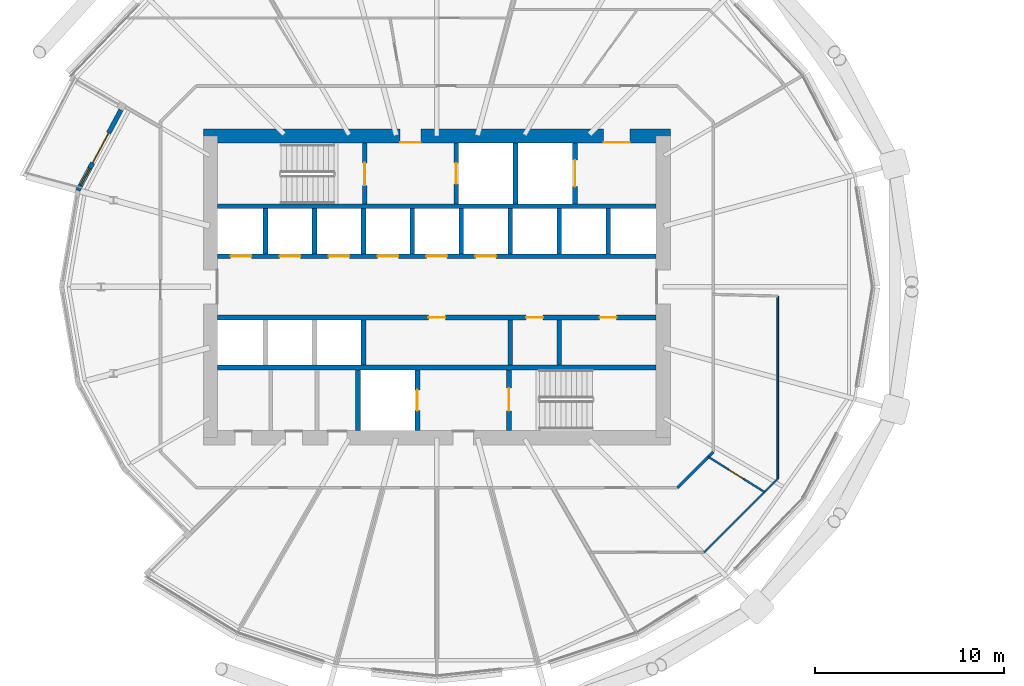
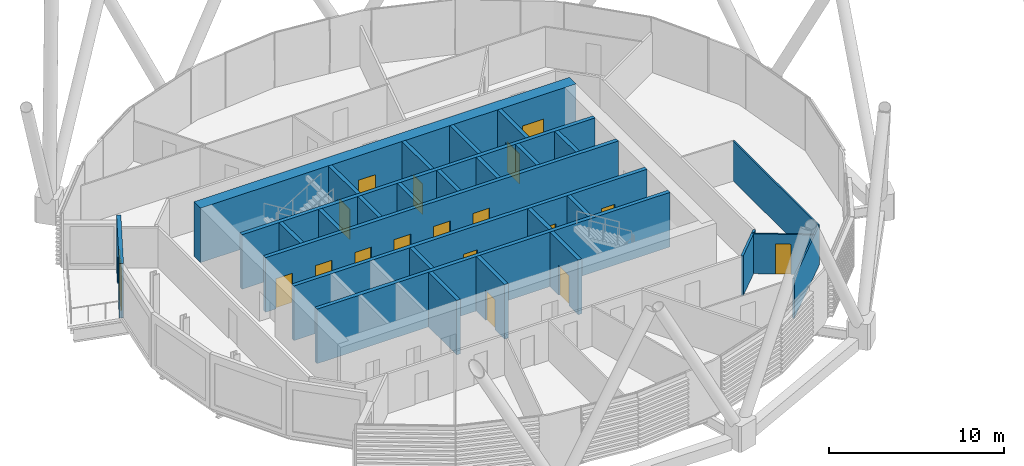
# One storey, part 28 of 39: 28 walls, 18 doors, 1 window, 19 openings.
"""IFC4 building model written with IfcOpenShell, lengths in metres."""

from ifc_helpers import new_model, si_unit, direction, frame, frame_2d, origin, place, context, subcontext, project, spatial, rectangle, extrude, material, layer, layer_set, type_object, element, fill, save


model = new_model("IFC4")

# Units and contexts
model_context = context("Model", 3, precision=1e-05, world=origin(), true_north=direction((0.0, 1.0)))
body_context = subcontext(model_context, "Body", "Model", "MODEL_VIEW")
ifc_project = project(units=[si_unit("LENGTHUNIT", "METRE"), si_unit("AREAUNIT", "SQUARE_METRE"), si_unit("VOLUMEUNIT", "CUBIC_METRE"), si_unit("PLANEANGLEUNIT", "RADIAN"), si_unit("MASSUNIT", "GRAM", prefix="KILO")], contexts=[model_context])

# Site, building, storey
site_placement = place(None, origin())
site = spatial("IfcSite", under=ifc_project, at=site_placement, CompositionType="ELEMENT")
building_placement = place(site_placement, origin())
building = spatial("IfcBuilding", under=site, at=building_placement, Name="Rimbun Link Towers", CompositionType="ELEMENT")
storey_placement = place(building_placement, frame((0.0, 0.0, 115.800048828125)))
storey = spatial("IfcBuildingStorey", under=building, at=storey_placement, Name="L28", CompositionType="ELEMENT", Elevation=115.800048828125)

# Wall, openings, door, window
ifc_material_1 = material(Name="Dark enamelled glass spandrel on insulated aluminium backpan", Category="aluminium")
ifc_layer_1 = layer(ifc_material_1, 0.25)
ifc_layer_set_1 = layer_set([ifc_layer_1], Name="CS dark enamelled spandrel wall 250")
wall_type_1 = type_object("IfcWallType", Name="CS dark enamelled spandrel wall 250", PredefinedType="STANDARD", material=ifc_layer_set_1)
wall_1_placement = place(storey_placement, frame((-50.779541015625, 5.10791015625, 0.0), z_axis=(0.0, 0.0, 1.0), x_axis=(0.472277359542, 0.881449996122, 0.0)))
wall_1 = element("IfcWall", 1, at=wall_1_placement, inside=storey, type_object=wall_type_1, Name="Crease spandrel wall", PredefinedType="STANDARD", context=body_context, shape_type="SweptSolid", body=[
    extrude(rectangle(XDim=4.84375, YDim=0.25, at=frame_2d((2.421875, 0.0))), origin(), (0.0, 0.0, 1.0), 3.800048828125),
])
opening_1_placement = place(wall_1_placement, frame((0.32763671875, 0.0, 0.300048828125)))
opening_1 = element("IfcOpeningElement", 2, at=opening_1_placement, cuts=wall_1, Name="Opening WR10H295", PredefinedType="OPENING", context=body_context, shape_type="SweptSolid", body=[
    extrude(rectangle(XDim=1.0, YDim=2.949951171875, at=frame_2d((0.5, 1.47509765625))), frame((0.0, 0.135009765625, 0.0), z_axis=(0.0, -1.0, 0.0), x_axis=(1.0, 0.0, 0.0)), (0.0, 0.0, 1.0), 0.27001953125),
])
opening_2_placement = place(wall_1_placement, frame((1.655029296875, 0.0, 0.0)))
opening_2 = element("IfcOpeningElement", 3, at=opening_2_placement, cuts=wall_1, Name="Opening ED65", PredefinedType="OPENING", context=body_context, shape_type="SweptSolid", body=[
    extrude(rectangle(XDim=1.800048828125, YDim=2.39990234375, at=frame_2d((0.89990234375, 1.199951171875))), frame((0.0, 0.135009765625, 0.0), z_axis=(0.0, -1.0, 0.0), x_axis=(1.0, 0.0, 0.0)), (0.0, 0.0, 1.0), 0.27001953125),
])
ifc_material_2 = material(Name="Aluminium framed glazed door, low-iron glass", Category="aluminium")
door_type_1 = type_object("IfcDoorType", Name="ED terrace door double leaf 1800X2400", OperationType="DOUBLE_DOOR_SINGLE_SWING", PredefinedType="DOOR", material=ifc_material_2)
door_1_placement = place(opening_2_placement, origin())
door_1 = element("IfcDoor", 4, at=door_1_placement, inside=storey, type_object=door_type_1, Name="Terrace door", OperationType="SINGLE_SWING_LEFT", OverallHeight=2.39990234375, OverallWidth=1.800048828125, PredefinedType="DOOR", context=body_context, shape_type="SweptSolid", body=[
    extrude(rectangle(XDim=1.800048828125, YDim=2.39990234375, at=frame_2d((0.89990234375, 1.199951171875))), frame((0.0, 0.02490234375, 0.0), z_axis=(0.0, -1.0, 0.0), x_axis=(1.0, 0.0, 0.0)), (0.0, 0.0, 1.0), 0.050048828125),
])
fill(opening_2, door_1)
ifc_material_3 = material(Name="Aluminium framed fixed window, dark tinted low-e glass", Category="aluminium")
window_type = type_object("IfcWindowType", Name="WR ribbon window 1000X2950", PartitioningType="SINGLE_PANEL", PredefinedType="WINDOW", material=ifc_material_3)
window_placement = place(opening_1_placement, origin())
window = element("IfcWindow", 5, at=window_placement, inside=storey, type_object=window_type, Name="Crease ribbon window", OverallHeight=2.949951171875, OverallWidth=1.0, PartitioningType="SINGLE_PANEL", PredefinedType="WINDOW", context=body_context, shape_type="SweptSolid", body=[
    extrude(rectangle(XDim=1.0, YDim=2.949951171875, at=frame_2d((0.5, 1.47509765625))), frame((0.0, 0.030029296875, 0.0), z_axis=(0.0, -1.0, 0.0), x_axis=(1.0, 0.0, 0.0)), (0.0, 0.0, 1.0), 0.06005859375),
])
fill(opening_1, window)

# Wall, openings, doors
ifc_material_4 = material(Name="Concrete C60/75", Category="concrete")
ifc_layer_2 = layer(ifc_material_4, 0.75)
ifc_layer_set_2 = layer_set([ifc_layer_2], Name="Core shear wall 750")
wall_type_2 = type_object("IfcWallType", Name="Core shear wall 750", PredefinedType="SHEAR", material=ifc_layer_set_2)
wall_2_placement = place(storey_placement, frame((-44.125, 8.0, 0.0), z_axis=(0.0, 0.0, 1.0), x_axis=(1.0, 0.0, 0.0)))
wall_2 = element("IfcWall", 6, at=wall_2_placement, inside=storey, type_object=wall_type_2, Name="L28 T1 core wall N", PredefinedType="SHEAR", context=body_context, shape_type="SweptSolid", body=[
    extrude(rectangle(XDim=24.75, YDim=0.75, at=frame_2d((12.375, 0.0))), origin(), (0.0, 0.0, 1.0), 3.800048828125),
])
opening_3_placement = place(wall_2_placement, frame((10.425048828125, 0.0, 0.0)))
opening_3 = element("IfcOpeningElement", 7, at=opening_3_placement, cuts=wall_2, Name="Opening C1DCF01N", PredefinedType="OPENING", context=body_context, shape_type="SweptSolid", body=[
    extrude(rectangle(XDim=1.10009765625, YDim=2.10009765625, at=frame_2d((0.550048828125, 1.050048828125))), frame((0.0, 0.385009765625, 0.0), z_axis=(0.0, -1.0, 0.0), x_axis=(1.0, 0.0, 0.0)), (0.0, 0.0, 1.0), 0.77001953125),
])
opening_4_placement = place(wall_2_placement, frame((21.21240234375, 0.0, 0.0)))
opening_4 = element("IfcOpeningElement", 8, at=opening_4_placement, cuts=wall_2, Name="Opening C1DSL02N", PredefinedType="OPENING", context=body_context, shape_type="SweptSolid", body=[
    extrude(rectangle(XDim=1.39990234375, YDim=2.10009765625, at=frame_2d((0.699951171875, 1.050048828125))), frame((0.0, 0.385009765625, 0.0), z_axis=(0.0, -1.0, 0.0), x_axis=(1.0, 0.0, 0.0)), (0.0, 0.0, 1.0), 0.77001953125),
])
ifc_material_5 = material(Name="Steel fire door set", Category="steel")
door_type_2 = type_object("IfcDoorType", Name="Core fire door single", OperationType="SINGLE_SWING_LEFT", PredefinedType="DOOR", material=ifc_material_5)
door_2_placement = place(opening_3_placement, origin())
door_2 = element("IfcDoor", 9, at=door_2_placement, inside=storey, type_object=door_type_2, Name="L28 T1 firefighting lobby n door", OperationType="SINGLE_SWING_LEFT", OverallHeight=2.10009765625, OverallWidth=1.10009765625, PredefinedType="DOOR", context=body_context, shape_type="SweptSolid", body=[
    extrude(rectangle(XDim=1.10009765625, YDim=2.10009765625, at=frame_2d((0.550048828125, 1.050048828125))), frame((0.0, -0.3251953125, 0.0), z_axis=(0.0, -1.0, 0.0), x_axis=(1.0, 0.0, 0.0)), (0.0, 0.0, 1.0), 0.050048828125),
])
fill(opening_3, door_2)
ifc_material_6 = material(Name="Steel fire door set", Category="steel")
door_type_3 = type_object("IfcDoorType", Name="Service lobby door double", OperationType="DOUBLE_DOOR_SINGLE_SWING", PredefinedType="DOOR", material=ifc_material_6)
door_3_placement = place(opening_4_placement, origin())
door_3 = element("IfcDoor", 10, at=door_3_placement, inside=storey, type_object=door_type_3, Name="L28 T1 service lobby door", OperationType="DOUBLE_DOOR_SINGLE_SWING", OverallHeight=2.10009765625, OverallWidth=1.39990234375, PredefinedType="DOOR", context=body_context, shape_type="SweptSolid", body=[
    extrude(rectangle(XDim=1.39990234375, YDim=2.10009765625, at=frame_2d((0.699951171875, 1.050048828125))), frame((0.0, -0.3251953125, 0.0), z_axis=(0.0, -1.0, 0.0), x_axis=(1.0, 0.0, 0.0)), (0.0, 0.0, 1.0), 0.050048828125),
])
fill(opening_4, door_3)

# Wall
ifc_material_7 = material(Name="Plasterboard on steel stud, mineral wool", Category="steel")
ifc_layer_3 = layer(ifc_material_7, 0.14990234375)
ifc_layer_set_3 = layer_set([ifc_layer_3], Name="Corridor wall EI 30 150 mm")
wall_type_3 = type_object("IfcWallType", Name="Corridor wall EI 30 150 mm", PredefinedType="PARTITIONING", material=ifc_layer_set_3)
wall_3_placement = place(storey_placement, frame((-18.998291015625, -10.64990234375, 0.0), z_axis=(0.0, 0.0, 1.0), x_axis=(0.707106781187, 0.707106781187, 0.0)))
element("IfcWall", 11, at=wall_3_placement, inside=storey, type_object=wall_type_3, Name="Corridor wall EI 30 150 mm", PredefinedType="PARTITIONING", context=body_context, shape_type="SweptSolid", body=[
    extrude(rectangle(XDim=2.6845703125, YDim=0.14990234375, at=frame_2d((1.34228515625, 0.0))), origin(), (0.0, 0.0, 1.0), 2.779052734375),
])

# Wall, opening, door
ifc_material_8 = material(Name="Plasterboard on steel stud", Category="steel")
ifc_layer_4 = layer(ifc_material_8, 0.10009765625)
ifc_layer_set_4 = layer_set([ifc_layer_4], Name="Plasterboard partition 100 mm")
wall_type_4 = type_object("IfcWallType", Name="Plasterboard partition 100 mm", PredefinedType="PARTITIONING", material=ifc_layer_set_4)
wall_4_placement = place(storey_placement, frame((-17.35986328125, -9.011474609375, 0.0), z_axis=(0.0, 0.0, 1.0), x_axis=(0.847521121802, -0.530761667889, 0.0)))
wall_4 = element("IfcWall", 12, at=wall_4_placement, inside=storey, type_object=wall_type_4, Name="Plasterboard partition 100 mm", PredefinedType="PARTITIONING", context=body_context, shape_type="SweptSolid", body=[
    extrude(rectangle(XDim=3.50927734375, YDim=0.10009765625, at=frame_2d((1.754638671875, 0.0))), origin(), (0.0, 0.0, 1.0), 2.779052734375),
])
opening_5_placement = place(wall_4_placement, frame((1.3046875, 0.0, 0.0)))
opening_5 = element("IfcOpeningElement", 13, at=opening_5_placement, cuts=wall_4, Name="Opening D04", PredefinedType="OPENING", context=body_context, shape_type="SweptSolid", body=[
    extrude(rectangle(XDim=0.89990234375, YDim=2.10009765625, at=frame_2d((0.449951171875, 1.050048828125))), frame((0.0, 0.06005859375, 0.0), z_axis=(0.0, -1.0, 0.0), x_axis=(1.0, 0.0, 0.0)), (0.0, 0.0, 1.0), 0.1201171875),
])
ifc_material_9 = material(Name="Timber door leaf", Category="wood")
door_type_4 = type_object("IfcDoorType", Name="Flush door 900", OperationType="NOTDEFINED", PredefinedType="DOOR", material=ifc_material_9)
door_4_placement = place(opening_5_placement, origin())
door_4 = element("IfcDoor", 14, at=door_4_placement, inside=storey, type_object=door_type_4, Name="Flush door 900 to Meeting room", OperationType="SINGLE_SWING_RIGHT", OverallHeight=2.10009765625, OverallWidth=0.89990234375, PredefinedType="DOOR", context=body_context, shape_type="SweptSolid", body=[
    extrude(rectangle(XDim=0.89990234375, YDim=2.10009765625, at=frame_2d((0.449951171875, 1.050048828125))), frame((0.0, 0.02490234375, 0.0), z_axis=(0.0, -1.0, 0.0), x_axis=(1.0, 0.0, 0.0)), (0.0, 0.0, 1.0), 0.050048828125),
])
fill(opening_5, door_4)

# Walls
wall_5_placement = place(storey_placement, frame((-17.581787109375, -14.070068359375, 0.0), z_axis=(0.0, 0.0, 1.0), x_axis=(0.707084658174, 0.707128903507, 0.0)))
element("IfcWall", 15, at=wall_5_placement, inside=storey, type_object=wall_type_4, Name="Plasterboard partition 100 mm", PredefinedType="PARTITIONING", context=body_context, shape_type="SweptSolid", body=[
    extrude(rectangle(XDim=5.517822265625, YDim=0.10009765625, at=frame_2d((2.7587890625, 0.0))), origin(), (0.0, 0.0, 1.0), 2.779052734375),
])
wall_6_placement = place(storey_placement, frame((-13.679931640625, -10.168212890625, 0.0), z_axis=(0.0, 0.0, 1.0), x_axis=(0.0, 1.0, 0.0)))
element("IfcWall", 16, at=wall_6_placement, inside=storey, type_object=wall_type_4, Name="Plasterboard partition 100 mm", PredefinedType="PARTITIONING", context=body_context, shape_type="SweptSolid", body=[
    extrude(rectangle(XDim=9.676025390625, YDim=0.10009765625, at=frame_2d((4.837890625, 0.0))), origin(), (0.0, 0.0, 1.0), 2.779052734375),
])
ifc_material_10 = material(Name="Concrete C60/75", Category="concrete")
ifc_layer_5 = layer(ifc_material_10, 0.25)
ifc_layer_set_5 = layer_set([ifc_layer_5], Name="Shaft wall 250")
wall_type_5 = type_object("IfcWallType", Name="Shaft wall 250", PredefinedType="SHEAR", material=ifc_layer_set_5)
for number, where, z_axis, x_axis, name in (
    (17, (-43.375, 4.27490234375, 0.0), (0.0, 0.0, 1.0), (1.0, 0.0, 0.0), "L28 T1 core wall BN"),
    (18, (-43.375, -4.27490234375, 0.0), (0.0, 0.0, 1.0), (1.0, 0.0, 0.0), "L28 T1 core wall BS"),
):
    element("IfcWall", number, at=place(storey_placement, frame(where, z_axis=z_axis, x_axis=x_axis)), inside=storey, type_object=wall_type_5, Name=name, PredefinedType="SHEAR", context=body_context, shape_type="SweptSolid", body=[
        extrude(rectangle(XDim=23.25, YDim=0.25, at=frame_2d((11.625, 0.0))), origin(), (0.0, 0.0, 1.0), 3.800048828125),
    ])

# Wall, openings, doors
wall_7_placement = place(storey_placement, frame((-43.375, 1.625, 0.0), z_axis=(0.0, 0.0, 1.0), x_axis=(1.0, 0.0, 0.0)))
wall_7 = element("IfcWall", 19, at=wall_7_placement, inside=storey, type_object=wall_type_5, Name="L28 T1 core wall FN", PredefinedType="SHEAR", context=body_context, shape_type="SweptSolid", body=[
    extrude(rectangle(XDim=23.25, YDim=0.25, at=frame_2d((11.625, 0.0))), origin(), (0.0, 0.0, 1.0), 3.800048828125),
])
opening_6_placement = place(wall_7_placement, frame((0.697265625, 0.0, 0.0)))
opening_6 = element("IfcOpeningElement", 20, at=opening_6_placement, cuts=wall_7, Name="Opening LD-T1-LR1", PredefinedType="OPENING", context=body_context, shape_type="SweptSolid", body=[
    extrude(rectangle(XDim=1.10009765625, YDim=2.10009765625, at=frame_2d((0.550048828125, 1.050048828125))), frame((0.0, 0.135009765625, 0.0), z_axis=(0.0, -1.0, 0.0), x_axis=(1.0, 0.0, 0.0)), (0.0, 0.0, 1.0), 0.27001953125),
])
opening_7_placement = place(wall_7_placement, frame((3.291748046875, 0.0, 0.0)))
opening_7 = element("IfcOpeningElement", 21, at=opening_7_placement, cuts=wall_7, Name="Opening LD-T1-LR2", PredefinedType="OPENING", context=body_context, shape_type="SweptSolid", body=[
    extrude(rectangle(XDim=1.10009765625, YDim=2.10009765625, at=frame_2d((0.550048828125, 1.050048828125))), frame((0.0, 0.135009765625, 0.0), z_axis=(0.0, -1.0, 0.0), x_axis=(1.0, 0.0, 0.0)), (0.0, 0.0, 1.0), 0.27001953125),
])
opening_8_placement = place(wall_7_placement, frame((5.885986328125, 0.0, 0.0)))
opening_8 = element("IfcOpeningElement", 22, at=opening_8_placement, cuts=wall_7, Name="Opening LD-T1-LR3", PredefinedType="OPENING", context=body_context, shape_type="SweptSolid", body=[
    extrude(rectangle(XDim=1.10009765625, YDim=2.10009765625, at=frame_2d((0.550048828125, 1.050048828125))), frame((0.0, 0.135009765625, 0.0), z_axis=(0.0, -1.0, 0.0), x_axis=(1.0, 0.0, 0.0)), (0.0, 0.0, 1.0), 0.27001953125),
])
opening_9_placement = place(wall_7_placement, frame((8.480712890625, 0.0, 0.0)))
opening_9 = element("IfcOpeningElement", 23, at=opening_9_placement, cuts=wall_7, Name="Opening LD-T1-LR4", PredefinedType="OPENING", context=body_context, shape_type="SweptSolid", body=[
    extrude(rectangle(XDim=1.10009765625, YDim=2.10009765625, at=frame_2d((0.550048828125, 1.050048828125))), frame((0.0, 0.135009765625, 0.0), z_axis=(0.0, -1.0, 0.0), x_axis=(1.0, 0.0, 0.0)), (0.0, 0.0, 1.0), 0.27001953125),
])
opening_10_placement = place(wall_7_placement, frame((11.074951171875, 0.0, 0.0)))
opening_10 = element("IfcOpeningElement", 24, at=opening_10_placement, cuts=wall_7, Name="Opening LD-T1-LR5", PredefinedType="OPENING", context=body_context, shape_type="SweptSolid", body=[
    extrude(rectangle(XDim=1.10009765625, YDim=2.10009765625, at=frame_2d((0.550048828125, 1.050048828125))), frame((0.0, 0.135009765625, 0.0), z_axis=(0.0, -1.0, 0.0), x_axis=(1.0, 0.0, 0.0)), (0.0, 0.0, 1.0), 0.27001953125),
])
opening_11_placement = place(wall_7_placement, frame((13.66943359375, 0.0, 0.0)))
opening_11 = element("IfcOpeningElement", 25, at=opening_11_placement, cuts=wall_7, Name="Opening LD-T1-LR6", PredefinedType="OPENING", context=body_context, shape_type="SweptSolid", body=[
    extrude(rectangle(XDim=1.10009765625, YDim=2.10009765625, at=frame_2d((0.550048828125, 1.050048828125))), frame((0.0, 0.135009765625, 0.0), z_axis=(0.0, -1.0, 0.0), x_axis=(1.0, 0.0, 0.0)), (0.0, 0.0, 1.0), 0.27001953125),
])
ifc_material_11 = material(Name="Stainless steel grade 316", Category="steel")
door_type_5 = type_object("IfcDoorType", Name="Lift landing door", OperationType="DOUBLE_DOOR_SLIDING", PredefinedType="DOOR", material=ifc_material_11)
door_5_placement = place(opening_6_placement, origin())
door_5 = element("IfcDoor", 26, at=door_5_placement, inside=storey, type_object=door_type_5, Name="L28 T1 lift LR1 landing door", OperationType="DOUBLE_DOOR_SLIDING", OverallHeight=2.10009765625, OverallWidth=1.10009765625, PredefinedType="DOOR", context=body_context, shape_type="SweptSolid", body=[
    extrude(rectangle(XDim=1.10009765625, YDim=2.10009765625, at=frame_2d((0.550048828125, 1.050048828125))), frame((0.0, 0.02490234375, 0.0), z_axis=(0.0, -1.0, 0.0), x_axis=(1.0, 0.0, 0.0)), (0.0, 0.0, 1.0), 0.050048828125),
])
fill(opening_6, door_5)
door_6_placement = place(opening_7_placement, origin())
door_6 = element("IfcDoor", 27, at=door_6_placement, inside=storey, type_object=door_type_5, Name="L28 T1 lift LR2 landing door", OperationType="DOUBLE_DOOR_SLIDING", OverallHeight=2.10009765625, OverallWidth=1.10009765625, PredefinedType="DOOR", context=body_context, shape_type="SweptSolid", body=[
    extrude(rectangle(XDim=1.10009765625, YDim=2.10009765625, at=frame_2d((0.550048828125, 1.050048828125))), frame((0.0, 0.02490234375, 0.0), z_axis=(0.0, -1.0, 0.0), x_axis=(1.0, 0.0, 0.0)), (0.0, 0.0, 1.0), 0.050048828125),
])
fill(opening_7, door_6)
door_7_placement = place(opening_8_placement, origin())
door_7 = element("IfcDoor", 28, at=door_7_placement, inside=storey, type_object=door_type_5, Name="L28 T1 lift LR3 landing door", OperationType="DOUBLE_DOOR_SLIDING", OverallHeight=2.10009765625, OverallWidth=1.10009765625, PredefinedType="DOOR", context=body_context, shape_type="SweptSolid", body=[
    extrude(rectangle(XDim=1.10009765625, YDim=2.10009765625, at=frame_2d((0.550048828125, 1.050048828125))), frame((0.0, 0.02490234375, 0.0), z_axis=(0.0, -1.0, 0.0), x_axis=(1.0, 0.0, 0.0)), (0.0, 0.0, 1.0), 0.050048828125),
])
fill(opening_8, door_7)
door_8_placement = place(opening_9_placement, origin())
door_8 = element("IfcDoor", 29, at=door_8_placement, inside=storey, type_object=door_type_5, Name="L28 T1 lift LR4 landing door", OperationType="DOUBLE_DOOR_SLIDING", OverallHeight=2.10009765625, OverallWidth=1.10009765625, PredefinedType="DOOR", context=body_context, shape_type="SweptSolid", body=[
    extrude(rectangle(XDim=1.10009765625, YDim=2.10009765625, at=frame_2d((0.550048828125, 1.050048828125))), frame((0.0, 0.02490234375, 0.0), z_axis=(0.0, -1.0, 0.0), x_axis=(1.0, 0.0, 0.0)), (0.0, 0.0, 1.0), 0.050048828125),
])
fill(opening_9, door_8)
door_9_placement = place(opening_10_placement, origin())
door_9 = element("IfcDoor", 30, at=door_9_placement, inside=storey, type_object=door_type_5, Name="L28 T1 lift LR5 landing door", OperationType="DOUBLE_DOOR_SLIDING", OverallHeight=2.10009765625, OverallWidth=1.10009765625, PredefinedType="DOOR", context=body_context, shape_type="SweptSolid", body=[
    extrude(rectangle(XDim=1.10009765625, YDim=2.10009765625, at=frame_2d((0.550048828125, 1.050048828125))), frame((0.0, 0.02490234375, 0.0), z_axis=(0.0, -1.0, 0.0), x_axis=(1.0, 0.0, 0.0)), (0.0, 0.0, 1.0), 0.050048828125),
])
fill(opening_10, door_9)
door_10_placement = place(opening_11_placement, origin())
door_10 = element("IfcDoor", 31, at=door_10_placement, inside=storey, type_object=door_type_5, Name="L28 T1 lift LR6 landing door", OperationType="DOUBLE_DOOR_SLIDING", OverallHeight=2.10009765625, OverallWidth=1.10009765625, PredefinedType="DOOR", context=body_context, shape_type="SweptSolid", body=[
    extrude(rectangle(XDim=1.10009765625, YDim=2.10009765625, at=frame_2d((0.550048828125, 1.050048828125))), frame((0.0, 0.02490234375, 0.0), z_axis=(0.0, -1.0, 0.0), x_axis=(1.0, 0.0, 0.0)), (0.0, 0.0, 1.0), 0.050048828125),
])
fill(opening_11, door_10)

wall_8_placement = place(storey_placement, frame((-43.375, -1.625, 0.0), z_axis=(0.0, 0.0, 1.0), x_axis=(1.0, 0.0, 0.0)))
wall_8 = element("IfcWall", 32, at=wall_8_placement, inside=storey, type_object=wall_type_5, Name="L28 T1 core wall FS", PredefinedType="SHEAR", context=body_context, shape_type="SweptSolid", body=[
    extrude(rectangle(XDim=23.25, YDim=0.25, at=frame_2d((11.625, 0.0))), origin(), (0.0, 0.0, 1.0), 3.800048828125),
])
opening_12_placement = place(wall_8_placement, frame((11.175048828125, 0.0, 0.0)))
opening_12 = element("IfcOpeningElement", 33, at=opening_12_placement, cuts=wall_8, Name="Opening C1DRS01FS", PredefinedType="OPENING", context=body_context, shape_type="SweptSolid", body=[
    extrude(rectangle(XDim=0.89990234375, YDim=2.10009765625, at=frame_2d((0.449951171875, 1.050048828125))), frame((0.0, 0.135009765625, 0.0), z_axis=(0.0, -1.0, 0.0), x_axis=(1.0, 0.0, 0.0)), (0.0, 0.0, 1.0), 0.27001953125),
])
opening_13_placement = place(wall_8_placement, frame((16.364013671875, 0.0, 0.0)))
opening_13 = element("IfcOpeningElement", 34, at=opening_13_placement, cuts=wall_8, Name="Opening C1DRS02FS", PredefinedType="OPENING", context=body_context, shape_type="SweptSolid", body=[
    extrude(rectangle(XDim=0.89990234375, YDim=2.10009765625, at=frame_2d((0.449951171875, 1.050048828125))), frame((0.0, 0.135009765625, 0.0), z_axis=(0.0, -1.0, 0.0), x_axis=(1.0, 0.0, 0.0)), (0.0, 0.0, 1.0), 0.27001953125),
])
opening_14_placement = place(wall_8_placement, frame((20.255615234375, 0.0, 0.0)))
opening_14 = element("IfcOpeningElement", 35, at=opening_14_placement, cuts=wall_8, Name="Opening C1DRS03FS", PredefinedType="OPENING", context=body_context, shape_type="SweptSolid", body=[
    extrude(rectangle(XDim=0.89990234375, YDim=2.10009765625, at=frame_2d((0.449951171875, 1.050048828125))), frame((0.0, 0.135009765625, 0.0), z_axis=(0.0, -1.0, 0.0), x_axis=(1.0, 0.0, 0.0)), (0.0, 0.0, 1.0), 0.27001953125),
])
ifc_material_12 = material(Name="Steel fire door set", Category="steel")
door_type_6 = type_object("IfcDoorType", Name="Core riser door", OperationType="SINGLE_SWING_LEFT", PredefinedType="DOOR", material=ifc_material_12)
door_11_placement = place(opening_12_placement, origin())
door_11 = element("IfcDoor", 36, at=door_11_placement, inside=storey, type_object=door_type_6, Name="L28 T1 records store door", OperationType="SINGLE_SWING_RIGHT", OverallHeight=2.10009765625, OverallWidth=0.89990234375, PredefinedType="DOOR", context=body_context, shape_type="SweptSolid", body=[
    extrude(rectangle(XDim=0.89990234375, YDim=2.10009765625, at=frame_2d((0.449951171875, 1.050048828125))), frame((0.0, 0.02490234375, 0.0), z_axis=(0.0, -1.0, 0.0), x_axis=(1.0, 0.0, 0.0)), (0.0, 0.0, 1.0), 0.050048828125),
])
fill(opening_12, door_11)
door_12_placement = place(opening_13_placement, origin())
door_12 = element("IfcDoor", 37, at=door_12_placement, inside=storey, type_object=door_type_6, Name="L28 T1 cleaner store door", OperationType="SINGLE_SWING_LEFT", OverallHeight=2.10009765625, OverallWidth=0.89990234375, PredefinedType="DOOR", context=body_context, shape_type="SweptSolid", body=[
    extrude(rectangle(XDim=0.89990234375, YDim=2.10009765625, at=frame_2d((0.449951171875, 1.050048828125))), frame((0.0, 0.02490234375, 0.0), z_axis=(0.0, -1.0, 0.0), x_axis=(1.0, 0.0, 0.0)), (0.0, 0.0, 1.0), 0.050048828125),
])
fill(opening_13, door_12)
door_13_placement = place(opening_14_placement, origin())
door_13 = element("IfcDoor", 38, at=door_13_placement, inside=storey, type_object=door_type_6, Name="L28 T1 staff lounge door", OperationType="SINGLE_SWING_LEFT", OverallHeight=2.10009765625, OverallWidth=0.89990234375, PredefinedType="DOOR", context=body_context, shape_type="SweptSolid", body=[
    extrude(rectangle(XDim=0.89990234375, YDim=2.10009765625, at=frame_2d((0.449951171875, 1.050048828125))), frame((0.0, 0.02490234375, 0.0), z_axis=(0.0, -1.0, 0.0), x_axis=(1.0, 0.0, 0.0)), (0.0, 0.0, 1.0), 0.050048828125),
])
fill(opening_14, door_13)

# Walls
for number, where, z_axis, x_axis, name in (
    (39, (-40.83056640625, 1.75, 0.0), (0.0, 0.0, 1.0), (0.0, 1.0, 0.0), "L28 T1 core wall DN0"),
    (40, (-38.236083984375, 1.75, 0.0), (0.0, 0.0, 1.0), (0.0, 1.0, 0.0), "L28 T1 core wall DN1"),
    (41, (-35.6416015625, 1.75, 0.0), (0.0, 0.0, 1.0), (0.0, 1.0, 0.0), "L28 T1 core wall DN2"),
    (42, (-33.047119140625, 1.75, 0.0), (0.0, 0.0, 1.0), (0.0, 1.0, 0.0), "L28 T1 core wall DN3"),
    (43, (-30.452880859375, 1.75, 0.0), (0.0, 0.0, 1.0), (0.0, 1.0, 0.0), "L28 T1 core wall DN4"),
    (44, (-27.8583984375, 1.75, 0.0), (0.0, 0.0, 1.0), (0.0, 1.0, 0.0), "L28 T1 core wall DN5"),
    (45, (-25.263916015625, 1.75, 0.0), (0.0, 0.0, 1.0), (0.0, 1.0, 0.0), "L28 T1 core wall DN6"),
    (46, (-22.66943359375, 1.75, 0.0), (0.0, 0.0, 1.0), (0.0, 1.0, 0.0), "L28 T1 core wall DN7"),
    (47, (-35.6416015625, -4.14990234375, 0.0), (0.0, 0.0, 1.0), (0.0, 1.0, 0.0), "L28 T1 core wall DS2"),
    (48, (-27.8583984375, -4.14990234375, 0.0), (0.0, 0.0, 1.0), (0.0, 1.0, 0.0), "L28 T1 core wall DS5"),
    (49, (-25.263916015625, -4.14990234375, 0.0), (0.0, 0.0, 1.0), (0.0, 1.0, 0.0), "L28 T1 core wall DS6"),
):
    element("IfcWall", number, at=place(storey_placement, frame(where, z_axis=z_axis, x_axis=x_axis)), inside=storey, type_object=wall_type_5, Name=name, PredefinedType="SHEAR", context=body_context, shape_type="SweptSolid", body=[
        extrude(rectangle(XDim=2.39990234375, YDim=0.25, at=frame_2d((1.199951171875, 0.0))), origin(), (0.0, 0.0, 1.0), 3.800048828125),
    ])

# Wall, opening, door
wall_9_placement = place(storey_placement, frame((-35.574951171875, 4.39990234375, 0.0), z_axis=(0.0, 0.0, 1.0), x_axis=(0.0, 1.0, 0.0)))
wall_9 = element("IfcWall", 50, at=wall_9_placement, inside=storey, type_object=wall_type_5, Name="L28 T1 core wall A1", PredefinedType="SHEAR", context=body_context, shape_type="SweptSolid", body=[
    extrude(rectangle(XDim=3.22509765625, YDim=0.25, at=frame_2d((1.612548828125, 0.0))), origin(), (0.0, 0.0, 1.0), 3.800048828125),
])
opening_15_placement = place(wall_9_placement, frame((0.97509765625, 0.0, 0.0)))
opening_15 = element("IfcOpeningElement", 51, at=opening_15_placement, cuts=wall_9, Name="Opening C1DST01A1", PredefinedType="OPENING", context=body_context, shape_type="SweptSolid", body=[
    extrude(rectangle(XDim=1.199951171875, YDim=2.10009765625, at=frame_2d((0.60009765625, 1.050048828125))), frame((0.0, 0.135009765625, 0.0), z_axis=(0.0, -1.0, 0.0), x_axis=(1.0, 0.0, 0.0)), (0.0, 0.0, 1.0), 0.27001953125),
])
ifc_material_13 = material(Name="Steel fire door set", Category="steel")
door_type_7 = type_object("IfcDoorType", Name="Stair door", OperationType="SINGLE_SWING_LEFT", PredefinedType="DOOR", material=ifc_material_13)
door_14_placement = place(opening_15_placement, origin())
door_14 = element("IfcDoor", 52, at=door_14_placement, inside=storey, type_object=door_type_7, Name="L28 T1 stair a door", OperationType="SINGLE_SWING_RIGHT", OverallHeight=2.10009765625, OverallWidth=1.199951171875, PredefinedType="DOOR", context=body_context, shape_type="SweptSolid", body=[
    extrude(rectangle(XDim=1.199951171875, YDim=2.10009765625, at=frame_2d((0.60009765625, 1.050048828125))), frame((0.0, 0.02490234375, 0.0), z_axis=(0.0, -1.0, 0.0), x_axis=(1.0, 0.0, 0.0)), (0.0, 0.0, 1.0), 0.050048828125),
])
fill(opening_15, door_14)

wall_10_placement = place(storey_placement, frame((-30.72509765625, 4.39990234375, 0.0), z_axis=(0.0, 0.0, 1.0), x_axis=(0.0, 1.0, 0.0)))
wall_10 = element("IfcWall", 53, at=wall_10_placement, inside=storey, type_object=wall_type_5, Name="L28 T1 core wall A2", PredefinedType="SHEAR", context=body_context, shape_type="SweptSolid", body=[
    extrude(rectangle(XDim=3.22509765625, YDim=0.25, at=frame_2d((1.612548828125, 0.0))), origin(), (0.0, 0.0, 1.0), 3.800048828125),
])
opening_16_placement = place(wall_10_placement, frame((1.0625, 0.0, 0.0)))
opening_16 = element("IfcOpeningElement", 54, at=opening_16_placement, cuts=wall_10, Name="Opening LD-T1-FF1", PredefinedType="OPENING", context=body_context, shape_type="SweptSolid", body=[
    extrude(rectangle(XDim=1.10009765625, YDim=2.10009765625, at=frame_2d((0.550048828125, 1.050048828125))), frame((0.0, 0.135009765625, 0.0), z_axis=(0.0, -1.0, 0.0), x_axis=(1.0, 0.0, 0.0)), (0.0, 0.0, 1.0), 0.27001953125),
])
door_15_placement = place(opening_16_placement, origin())
door_15 = element("IfcDoor", 55, at=door_15_placement, inside=storey, type_object=door_type_5, Name="L28 T1 lift FF1 landing door", OperationType="DOUBLE_DOOR_SLIDING", OverallHeight=2.10009765625, OverallWidth=1.10009765625, PredefinedType="DOOR", context=body_context, shape_type="SweptSolid", body=[
    extrude(rectangle(XDim=1.10009765625, YDim=2.10009765625, at=frame_2d((0.550048828125, 1.050048828125))), frame((0.0, 0.02490234375, 0.0), z_axis=(0.0, -1.0, 0.0), x_axis=(1.0, 0.0, 0.0)), (0.0, 0.0, 1.0), 0.050048828125),
])
fill(opening_16, door_15)

# Wall
wall_11_placement = place(storey_placement, frame((-27.574951171875, 4.39990234375, 0.0), z_axis=(0.0, 0.0, 1.0), x_axis=(0.0, 1.0, 0.0)))
element("IfcWall", 56, at=wall_11_placement, inside=storey, type_object=wall_type_5, Name="L28 T1 core wall A3", PredefinedType="SHEAR", context=body_context, shape_type="SweptSolid", body=[
    extrude(rectangle(XDim=3.22509765625, YDim=0.25, at=frame_2d((1.612548828125, 0.0))), origin(), (0.0, 0.0, 1.0), 3.800048828125),
])

# Wall, opening, door
wall_12_placement = place(storey_placement, frame((-24.425048828125, 4.39990234375, 0.0), z_axis=(0.0, 0.0, 1.0), x_axis=(0.0, 1.0, 0.0)))
wall_12 = element("IfcWall", 57, at=wall_12_placement, inside=storey, type_object=wall_type_5, Name="L28 T1 core wall A4", PredefinedType="SHEAR", context=body_context, shape_type="SweptSolid", body=[
    extrude(rectangle(XDim=3.22509765625, YDim=0.25, at=frame_2d((1.612548828125, 0.0))), origin(), (0.0, 0.0, 1.0), 3.800048828125),
])
opening_17_placement = place(wall_12_placement, frame((0.91259765625, 0.0, 0.0)))
opening_17 = element("IfcOpeningElement", 58, at=opening_17_placement, cuts=wall_12, Name="Opening LD-T1-GL1", PredefinedType="OPENING", context=body_context, shape_type="SweptSolid", body=[
    extrude(rectangle(XDim=1.39990234375, YDim=2.10009765625, at=frame_2d((0.699951171875, 1.050048828125))), frame((0.0, 0.135009765625, 0.0), z_axis=(0.0, -1.0, 0.0), x_axis=(1.0, 0.0, 0.0)), (0.0, 0.0, 1.0), 0.27001953125),
])
ifc_material_14 = material(Name="Stainless steel grade 316", Category="steel")
door_type_8 = type_object("IfcDoorType", Name="Goods lift landing door", OperationType="DOUBLE_DOOR_SLIDING", PredefinedType="DOOR", material=ifc_material_14)
door_16_placement = place(opening_17_placement, origin())
door_16 = element("IfcDoor", 59, at=door_16_placement, inside=storey, type_object=door_type_8, Name="L28 T1 lift GL1 landing door", OperationType="DOUBLE_DOOR_SLIDING", OverallHeight=2.10009765625, OverallWidth=1.39990234375, PredefinedType="DOOR", context=body_context, shape_type="SweptSolid", body=[
    extrude(rectangle(XDim=1.39990234375, YDim=2.10009765625, at=frame_2d((0.699951171875, 1.050048828125))), frame((0.0, 0.02490234375, 0.0), z_axis=(0.0, -1.0, 0.0), x_axis=(1.0, 0.0, 0.0)), (0.0, 0.0, 1.0), 0.050048828125),
])
fill(opening_17, door_16)

wall_13_placement = place(storey_placement, frame((-27.925048828125, -4.39990234375, 0.0), z_axis=(0.0, 0.0, 1.0), x_axis=(0.0, -1.0, 0.0)))
wall_13 = element("IfcWall", 60, at=wall_13_placement, inside=storey, type_object=wall_type_5, Name="L28 T1 core wall B1", PredefinedType="SHEAR", context=body_context, shape_type="SweptSolid", body=[
    extrude(rectangle(XDim=3.22509765625, YDim=0.25, at=frame_2d((1.612548828125, 0.0))), origin(), (0.0, 0.0, 1.0), 3.800048828125),
])
opening_18_placement = place(wall_13_placement, frame((0.97509765625, 0.0, 0.0)))
opening_18 = element("IfcOpeningElement", 61, at=opening_18_placement, cuts=wall_13, Name="Opening C1DST01B1", PredefinedType="OPENING", context=body_context, shape_type="SweptSolid", body=[
    extrude(rectangle(XDim=1.199951171875, YDim=2.10009765625, at=frame_2d((0.60009765625, 1.050048828125))), frame((0.0, 0.135009765625, 0.0), z_axis=(0.0, -1.0, 0.0), x_axis=(1.0, 0.0, 0.0)), (0.0, 0.0, 1.0), 0.27001953125),
])
door_17_placement = place(opening_18_placement, origin())
door_17 = element("IfcDoor", 62, at=door_17_placement, inside=storey, type_object=door_type_7, Name="L28 T1 stair b door", OperationType="SINGLE_SWING_RIGHT", OverallHeight=2.10009765625, OverallWidth=1.199951171875, PredefinedType="DOOR", context=body_context, shape_type="SweptSolid", body=[
    extrude(rectangle(XDim=1.199951171875, YDim=2.10009765625, at=frame_2d((0.60009765625, 1.050048828125))), frame((0.0, 0.02490234375, 0.0), z_axis=(0.0, -1.0, 0.0), x_axis=(1.0, 0.0, 0.0)), (0.0, 0.0, 1.0), 0.050048828125),
])
fill(opening_18, door_17)

wall_14_placement = place(storey_placement, frame((-32.77490234375, -4.39990234375, 0.0), z_axis=(0.0, 0.0, 1.0), x_axis=(0.0, -1.0, 0.0)))
wall_14 = element("IfcWall", 63, at=wall_14_placement, inside=storey, type_object=wall_type_5, Name="L28 T1 core wall B2", PredefinedType="SHEAR", context=body_context, shape_type="SweptSolid", body=[
    extrude(rectangle(XDim=3.22509765625, YDim=0.25, at=frame_2d((1.612548828125, 0.0))), origin(), (0.0, 0.0, 1.0), 3.800048828125),
])
opening_19_placement = place(wall_14_placement, frame((1.0625, 0.0, 0.0)))
opening_19 = element("IfcOpeningElement", 64, at=opening_19_placement, cuts=wall_14, Name="Opening LD-T1-FF2", PredefinedType="OPENING", context=body_context, shape_type="SweptSolid", body=[
    extrude(rectangle(XDim=1.10009765625, YDim=2.10009765625, at=frame_2d((0.550048828125, 1.050048828125))), frame((0.0, 0.135009765625, 0.0), z_axis=(0.0, -1.0, 0.0), x_axis=(1.0, 0.0, 0.0)), (0.0, 0.0, 1.0), 0.27001953125),
])
door_18_placement = place(opening_19_placement, origin())
door_18 = element("IfcDoor", 65, at=door_18_placement, inside=storey, type_object=door_type_5, Name="L28 T1 lift FF2 landing door", OperationType="DOUBLE_DOOR_SLIDING", OverallHeight=2.10009765625, OverallWidth=1.10009765625, PredefinedType="DOOR", context=body_context, shape_type="SweptSolid", body=[
    extrude(rectangle(XDim=1.10009765625, YDim=2.10009765625, at=frame_2d((0.550048828125, 1.050048828125))), frame((0.0, 0.02490234375, 0.0), z_axis=(0.0, -1.0, 0.0), x_axis=(1.0, 0.0, 0.0)), (0.0, 0.0, 1.0), 0.050048828125),
])
fill(opening_19, door_18)

# Wall
wall_15_placement = place(storey_placement, frame((-35.925048828125, -4.39990234375, 0.0), z_axis=(0.0, 0.0, 1.0), x_axis=(0.0, -1.0, 0.0)))
element("IfcWall", 66, at=wall_15_placement, inside=storey, type_object=wall_type_5, Name="L28 T1 core wall B3", PredefinedType="SHEAR", context=body_context, shape_type="SweptSolid", body=[
    extrude(rectangle(XDim=3.22509765625, YDim=0.25, at=frame_2d((1.612548828125, 0.0))), origin(), (0.0, 0.0, 1.0), 3.800048828125),
])

save(model, "model.ifc")
